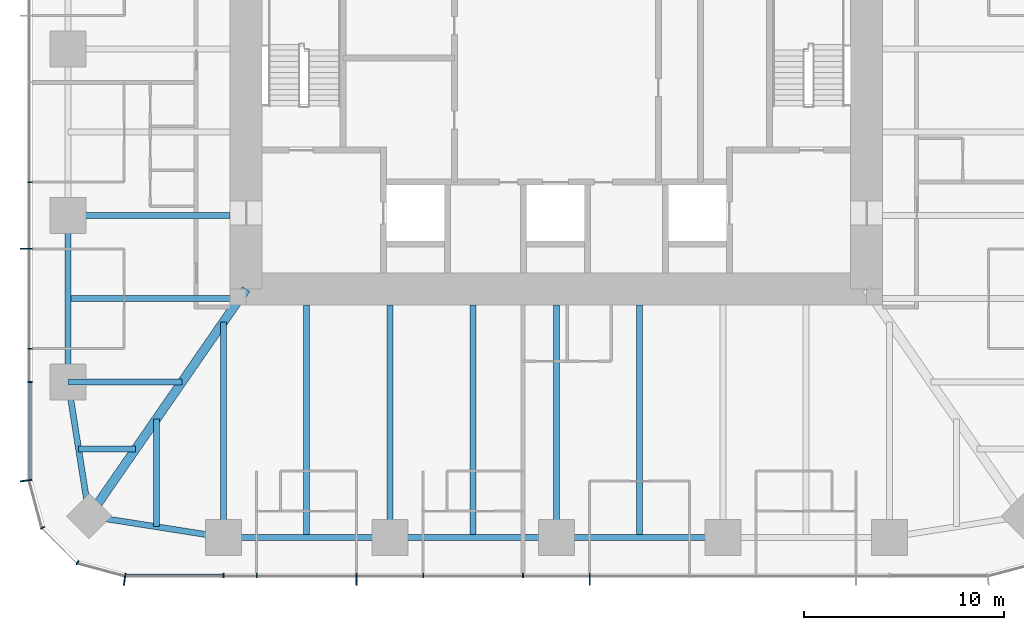
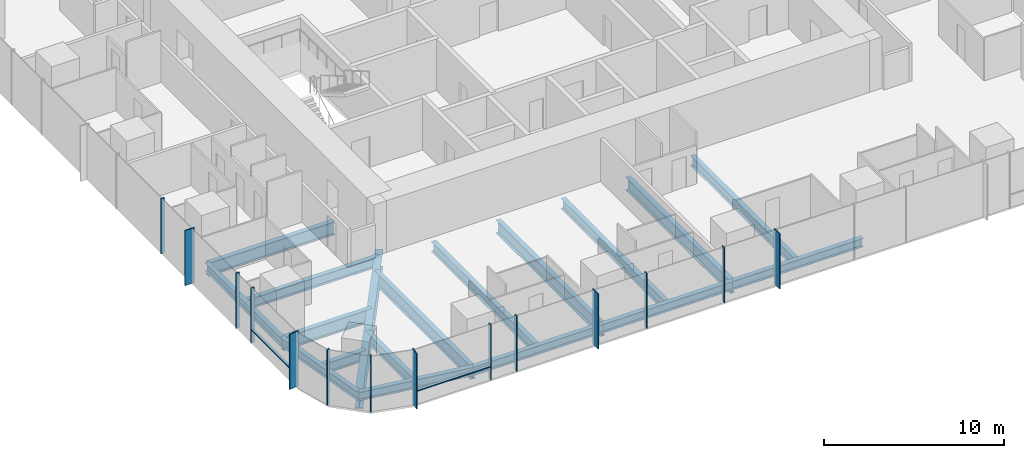
# One storey, part 2 of 12: 18 beams, 16 members, 3 elements without a shape of their own.
"""IFC4 building model written with IfcOpenShell, lengths in metres."""

import ifcopenshell
import ifcopenshell.guid

model = None  # the IFC model being written
_history = None  # IfcOwnerHistory: only IFC2X3 demands one
_inside = {}  # id of a spatial element -> (the spatial element, [elements in it])
_under = {}  # id of a project, library or spatial element -> (it, [spatial elements below it])
_declared = {}  # id of a project -> (the project, [libraries it declares])
_typed = {}  # id of a type object -> (the type object, [elements of that type])
_made_of = {}  # id of a material, layer set ... -> (it, [elements and type objects made of it])


def new_model(schema):
    """Start an empty IFC model of exactly this schema.

    Asked for "IFC4X3", IfcOpenShell would pick the latest addendum, in which some entities
    have other attributes; the version numbers below select the first issue.
    IFC2X3 requires an IfcOwnerHistory on every rooted entity: one is made here for all.
    """
    global model, _history
    if schema == "IFC4X3":
        model = ifcopenshell.file(schema_version=(4, 3, 0, 0))
    else:
        model = ifcopenshell.file(schema=schema)
    _inside.clear()
    _under.clear()
    _declared.clear()
    _typed.clear()
    _made_of.clear()
    _history = None
    if model.schema == "IFC2X3":
        org = make("IfcOrganization", Name="unknown")
        user = make(
            "IfcPersonAndOrganization",
            ThePerson=make("IfcPerson", FamilyName="unknown"),
            TheOrganization=org,
        )
        app = make(
            "IfcApplication",
            ApplicationDeveloper=org,
            Version="unknown",
            ApplicationFullName="unknown",
            ApplicationIdentifier="unknown",
        )
        _history = make(
            "IfcOwnerHistory",
            OwningUser=user,
            OwningApplication=app,
            ChangeAction="ADDED",
            CreationDate=0,
        )
    return model


def make(cls, **values):
    """One entity of the class cls with the attributes given. An attribute that is None is left unset."""
    return model.create_entity(
        cls, **{name: value for name, value in values.items() if value is not None}
    )


def rooted(cls, **values):
    """An entity with a GlobalId (a new one), such as an element, a storey or a relation."""
    return make(cls, GlobalId=ifcopenshell.guid.new(), OwnerHistory=_history, **values)


def si_unit(unit_type, name, prefix=None):
    """IfcSIUnit, for example si_unit("LENGTHUNIT", "METRE", prefix="MILLI")."""
    return make("IfcSIUnit", UnitType=unit_type, Prefix=prefix, Name=name)


def assignment(units):
    """IfcUnitAssignment: the units of a project."""
    return None if units is None else make("IfcUnitAssignment", Units=units)


def point(xyz):
    """IfcCartesianPoint."""
    return None if xyz is None else make("IfcCartesianPoint", Coordinates=xyz)


def direction(xyz):
    """IfcDirection."""
    return None if xyz is None else make("IfcDirection", DirectionRatios=xyz)


def frame(location, z_axis=None, x_axis=None):
    """IfcAxis2Placement3D, a coordinate frame: its origin and axes. An axis left out is left unset."""
    return make(
        "IfcAxis2Placement3D",
        Location=point(location),
        Axis=direction(z_axis),
        RefDirection=direction(x_axis),
    )


def frame_2d(location, x_axis=None):
    """IfcAxis2Placement2D, a coordinate frame in the plane: its origin and x axis."""
    return make(
        "IfcAxis2Placement2D", Location=point(location), RefDirection=direction(x_axis)
    )


def origin():
    """The frame at (0, 0, 0) with its axes left unset."""
    return frame((0.0, 0.0, 0.0))


def origin_2d():
    """The frame at (0, 0) in the plane with its x axis left unset."""
    return frame_2d((0.0, 0.0))


def place(relative_to, where):
    """IfcLocalPlacement: puts the frame where relative to a parent placement (None: the world)."""
    return make(
        "IfcLocalPlacement", PlacementRelTo=relative_to, RelativePlacement=where
    )


def context(
    kind, dimensions, precision=None, world=None, true_north=None, identifier=None
):
    """IfcGeometricRepresentationContext, for example the 3D "Model" context."""
    return make(
        "IfcGeometricRepresentationContext",
        ContextIdentifier=identifier,
        ContextType=kind,
        CoordinateSpaceDimension=dimensions,
        Precision=precision,
        WorldCoordinateSystem=world,
        TrueNorth=true_north,
    )


def subcontext(parent, identifier, kind, view, scale=None):
    """IfcGeometricRepresentationSubContext, for example "Body" below "Model"."""
    return make(
        "IfcGeometricRepresentationSubContext",
        ContextIdentifier=identifier,
        ContextType=kind,
        ParentContext=parent,
        TargetScale=scale,
        TargetView=view,
    )


def project(units=None, contexts=None):
    """IfcProject with its units and contexts."""
    return rooted(
        "IfcProject",
        Name="project",
        RepresentationContexts=contexts,
        UnitsInContext=assignment(units),
    )


def spatial(cls, under=None, at=None, **own):
    """A site, building, storey or space (cls), placed at a placement, below another one or the project."""
    s = rooted(cls, ObjectPlacement=at, **own)
    if under is not None:
        _under.setdefault(under.id(), (under, []))[1].append(s)
    return s


def profile(cls, at=None, kind="AREA", **sizes):
    """A parametric profile (cls). Its sizes go by their IFC names, for example OverallWidth=200.0."""
    return make(cls, ProfileType=kind, Position=at, **sizes)


def rectangle(**sizes):
    """IfcRectangleProfileDef."""
    return profile("IfcRectangleProfileDef", **sizes)


def i_section(**sizes):
    """IfcIShapeProfileDef."""
    return profile("IfcIShapeProfileDef", **sizes)


def extrude(swept, where, along, depth):
    """IfcExtrudedAreaSolid: the profile swept, set in the frame where, extruded along a direction by depth."""
    return make(
        "IfcExtrudedAreaSolid",
        SweptArea=swept,
        Position=where,
        ExtrudedDirection=direction(along),
        Depth=depth,
    )


def shape(context_of_items, identifier, shape_type, items):
    """IfcShapeRepresentation: the items that make up one representation, for example the "Body"."""
    return make(
        "IfcShapeRepresentation",
        ContextOfItems=context_of_items,
        RepresentationIdentifier=identifier,
        RepresentationType=shape_type,
        Items=items,
    )


def material(Name=None, Category=None):
    """IfcMaterial."""
    return make("IfcMaterial", Name=Name, Category=Category)


def material_profile(
    of_material, cross_section, Name=None, Category=None, Priority=None
):
    """IfcMaterialProfile: a cross section and its material."""
    return make(
        "IfcMaterialProfile",
        Name=Name,
        Material=of_material,
        Profile=cross_section,
        Priority=Priority,
        Category=Category,
    )


def profile_set(profiles, Name=None, composite=None):
    """IfcMaterialProfileSet."""
    return make(
        "IfcMaterialProfileSet",
        Name=Name,
        MaterialProfiles=profiles,
        CompositeProfile=composite,
    )


def made_of(thing, what):
    """Note that an element or type object is made of a material, layer set ...; save() writes the relation."""
    if what is not None:
        _made_of.setdefault(what.id(), (what, []))[1].append(thing)
    return thing


def type_object(cls, material=None, **own):
    """A type object (cls), such as IfcWallType, which elements share."""
    return made_of(rooted(cls, **own), material)


def element(
    cls,
    number,
    at=None,
    inside=None,
    cuts=None,
    type_object=None,
    material=None,
    context=None,
    identifier="Body",
    shape_type=None,
    held_by="IfcProductDefinitionShape",
    body=None,
    shapes=None,
    **own,
):
    """One element of the class cls, such as IfcWall. Its Tag is "e" and its number.

    at: its placement. inside: the storey or other place that contains it. cuts: it is an
    opening in that element (IfcRelVoidsElement). A single representation is given by context,
    identifier, shape_type and body (its items); several are given by shapes. held_by: the class
    of the entity that holds the representations. save() writes the other relations.
    """
    e = rooted(cls, Tag="e%d" % number, ObjectPlacement=at, **own)
    if body is not None:
        shapes = [shape(context, identifier, shape_type, body)]
    if shapes is not None:
        e.Representation = make(held_by, Representations=shapes)
    if inside is not None:
        _inside.setdefault(inside.id(), (inside, []))[1].append(e)
    if cuts is not None:
        rooted(
            "IfcRelVoidsElement", RelatingBuildingElement=cuts, RelatedOpeningElement=e
        )
    if type_object is not None:
        _typed.setdefault(type_object.id(), (type_object, []))[1].append(e)
    return made_of(e, material)


def aggregate(whole, parts):
    """IfcRelAggregates: a whole, such as a stair, and the parts it consists of."""
    return rooted("IfcRelAggregates", RelatingObject=whole, RelatedObjects=parts)


def save(model, path):
    """Write the relations noted so far, then the file.

    IfcRelAggregates (storeys below a building ...), IfcRelContainedInSpatialStructure (elements
    in a storey), IfcRelDefinesByType, IfcRelAssociatesMaterial and IfcRelDeclares: one each for
    every whole, place, type object, material and project.
    """
    for whole, parts in _under.values():
        aggregate(whole, parts)
    for where, things in _inside.values():
        rooted(
            "IfcRelContainedInSpatialStructure",
            RelatedElements=things,
            RelatingStructure=where,
        )
    for kind, things in _typed.values():
        rooted("IfcRelDefinesByType", RelatedObjects=things, RelatingType=kind)
    for what, things in _made_of.values():
        rooted("IfcRelAssociatesMaterial", RelatedObjects=things, RelatingMaterial=what)
    for by, libraries in _declared.values():
        rooted("IfcRelDeclares", RelatingContext=by, RelatedDefinitions=libraries)
    model.write(path)


model = new_model("IFC4")

# Units and contexts
model_context = context("Model", 3, precision=1e-05, world=origin(), true_north=direction((0.0, 1.0)))
body_context = subcontext(model_context, "Body", "Model", "MODEL_VIEW")
ifc_project = project(units=[si_unit("LENGTHUNIT", "METRE"), si_unit("AREAUNIT", "SQUARE_METRE"), si_unit("VOLUMEUNIT", "CUBIC_METRE"), si_unit("PLANEANGLEUNIT", "RADIAN"), si_unit("MASSUNIT", "GRAM", prefix="KILO")], contexts=[model_context])

# Site, building, storey
site_placement = place(None, origin())
site = spatial("IfcSite", under=ifc_project, at=site_placement, CompositionType="ELEMENT")
building_placement = place(site_placement, origin())
building = spatial("IfcBuilding", under=site, at=building_placement, Name="Khuree Lantern Residences", CompositionType="ELEMENT")
storey_placement = place(building_placement, frame((0.0, 0.0, 218.25)))
storey = spatial("IfcBuildingStorey", under=building, at=storey_placement, Name="L54", CompositionType="ELEMENT", Elevation=218.25)

# Beams
ifc_material_1 = material(Name="Steel S355", Category="steel")
ifc_material_profile_1 = material_profile(ifc_material_1, i_section(OverallWidth=0.300048828125, OverallDepth=0.68994140625, WebThickness=0.014404296875, FlangeThickness=0.027099609375, FilletRadius=0.027099609375, at=origin_2d()), Name="HE 700 A")
ifc_profile_set_1 = profile_set([ifc_material_profile_1], Name="Steel S355")
beam_type_1 = type_object("IfcBeamType", Name="B-32 SECONDARY BEAM HE 700 A", PredefinedType="BEAM", material=ifc_profile_set_1)
for number, where, z_axis, x_axis, name in (
    (1, (4.159912109375, -24.39990234375, -0.594970703125), (0.0, 1.0, 0.0), (-1.0, 0.0, 0.0), "Secondary beam S3"),
    (2, (-4.159912109375, -24.39990234375, -0.594970703125), (0.0, 1.0, 0.0), (-1.0, 0.0, 0.0), "Secondary beam S4"),
    (3, (-12.47998046875, -24.39990234375, -0.594970703125), (0.0, 1.0, 0.0), (-1.0, 0.0, 0.0), "Secondary beam S5"),
):
    element("IfcBeam", number, at=place(storey_placement, frame(where, z_axis=z_axis, x_axis=x_axis)), inside=storey, type_object=beam_type_1, Name=name, PredefinedType="BEAM", context=body_context, shape_type="SweptSolid", body=[
        extrude(i_section(OverallWidth=0.300048828125, OverallDepth=0.68994140625, WebThickness=0.014404296875, FlangeThickness=0.027099609375, FilletRadius=0.027099609375, at=origin_2d()), origin(), (0.0, 0.0, 1.0), 11.599853515625),
    ])
beam_1_placement = place(storey_placement, frame((-19.992919921875, -23.872802734375, -0.594970703125), z_axis=(0.0, 1.0, 0.0), x_axis=(-1.0, 0.0, 0.0)))
element("IfcBeam", 4, at=beam_1_placement, inside=storey, type_object=beam_type_1, Name="Secondary beam S6", PredefinedType="BEAM", context=body_context, shape_type="SweptSolid", body=[
    extrude(i_section(OverallWidth=0.300048828125, OverallDepth=0.68994140625, WebThickness=0.014404296875, FlangeThickness=0.027099609375, FilletRadius=0.027099609375, at=origin_2d()), origin(), (0.0, 0.0, 1.0), 5.375732421875),
])
beam_2_placement = place(storey_placement, frame((-23.872802734375, -19.992919921875, -0.594970703125), z_axis=(1.0, 0.0, 0.0), x_axis=(0.0, 1.0, 0.0)))
element("IfcBeam", 5, at=beam_2_placement, inside=storey, type_object=beam_type_1, Name="Secondary beam W1", PredefinedType="BEAM", context=body_context, shape_type="SweptSolid", body=[
    extrude(i_section(OverallWidth=0.300048828125, OverallDepth=0.68994140625, WebThickness=0.014404296875, FlangeThickness=0.027099609375, FilletRadius=0.027099609375, at=origin_2d()), origin(), (0.0, 0.0, 1.0), 2.845703125),
])
beam_3_placement = place(storey_placement, frame((-24.39990234375, -12.47998046875, -0.594970703125), z_axis=(1.0, 0.0, 0.0), x_axis=(0.0, 1.0, 0.0)))
element("IfcBeam", 6, at=beam_3_placement, inside=storey, type_object=beam_type_1, Name="Secondary beam W2", PredefinedType="BEAM", context=body_context, shape_type="SweptSolid", body=[
    extrude(i_section(OverallWidth=0.300048828125, OverallDepth=0.68994140625, WebThickness=0.014404296875, FlangeThickness=0.027099609375, FilletRadius=0.027099609375, at=origin_2d()), origin(), (0.0, 0.0, 1.0), 8.56787109375),
])
ifc_material_profile_2 = material_profile(ifc_material_1, i_section(OverallWidth=0.300048828125, OverallDepth=0.590087890625, WebThickness=0.012939453125, FlangeThickness=0.02490234375, FilletRadius=0.027099609375, at=origin_2d()), Name="HE 600 A")
ifc_profile_set_2 = profile_set([ifc_material_profile_2], Name="Steel S355")
beam_type_2 = type_object("IfcBeamType", Name="E-32 SPANDREL BEAM HE 600 A", PredefinedType="SPANDREL", material=ifc_profile_set_2)
for number, where, z_axis, x_axis, name in (
    (7, (8.320068359375, -24.39990234375, -0.544921875), (-1.0, 0.0, 0.0), (0.0, -1.0, 0.0), "Spandrel beam S3"),
    (8, (0.0, -24.39990234375, -0.544921875), (-1.0, 0.0, 0.0), (0.0, -1.0, 0.0), "Spandrel beam S4"),
):
    element("IfcBeam", number, at=place(storey_placement, frame(where, z_axis=z_axis, x_axis=x_axis)), inside=storey, type_object=beam_type_2, Name=name, PredefinedType="SPANDREL", context=body_context, shape_type="SweptSolid", body=[
        extrude(i_section(OverallWidth=0.300048828125, OverallDepth=0.590087890625, WebThickness=0.012939453125, FlangeThickness=0.02490234375, FilletRadius=0.027099609375, at=origin_2d()), origin(), (0.0, 0.0, 1.0), 8.320068359375),
    ])
beam_4_placement = place(storey_placement, frame((-8.320068359375, -24.39990234375, -0.544921875), z_axis=(-1.0, 0.0, 0.0), x_axis=(0.0, -1.0, 0.0)))
element("IfcBeam", 9, at=beam_4_placement, inside=storey, type_object=beam_type_2, Name="Spandrel beam S5", PredefinedType="SPANDREL", context=body_context, shape_type="SweptSolid", body=[
    extrude(i_section(OverallWidth=0.300048828125, OverallDepth=0.590087890625, WebThickness=0.012939453125, FlangeThickness=0.02490234375, FilletRadius=0.027099609375, at=origin_2d()), origin(), (0.0, 0.0, 1.0), 8.31982421875),
])
for number, where, z_axis, x_axis, name in (
    (10, (-16.639892578125, -24.39990234375, -0.544921875), (-0.98786743189, 0.155299507442, 0.0), (-0.155299507442, -0.98786743189, 0.0), "Spandrel beam S6"),
    (11, (-23.345703125, -23.345703125, -0.544921875), (-0.155299507442, 0.98786743189, 0.0), (-0.98786743189, -0.155299507442, 0.0), "Spandrel beam W1"),
):
    element("IfcBeam", number, at=place(storey_placement, frame(where, z_axis=z_axis, x_axis=x_axis)), inside=storey, type_object=beam_type_2, Name=name, PredefinedType="SPANDREL", context=body_context, shape_type="SweptSolid", body=[
        extrude(i_section(OverallWidth=0.300048828125, OverallDepth=0.590087890625, WebThickness=0.012939453125, FlangeThickness=0.02490234375, FilletRadius=0.027099609375, at=origin_2d()), origin(), (0.0, 0.0, 1.0), 6.7880859375),
    ])
beam_5_placement = place(storey_placement, frame((-24.39990234375, -16.639892578125, -0.544921875), z_axis=(0.0, 1.0, 0.0), x_axis=(-1.0, 0.0, 0.0)))
element("IfcBeam", 12, at=beam_5_placement, inside=storey, type_object=beam_type_2, Name="Spandrel beam W2", PredefinedType="SPANDREL", context=body_context, shape_type="SweptSolid", body=[
    extrude(i_section(OverallWidth=0.300048828125, OverallDepth=0.590087890625, WebThickness=0.012939453125, FlangeThickness=0.02490234375, FilletRadius=0.027099609375, at=origin_2d()), origin(), (0.0, 0.0, 1.0), 8.31982421875),
])

# Curtain wall, member
ifc_material_2 = material(Name="Bronze anodised aluminium", Category="aluminium")
curtain_wall_type_1 = type_object("IfcCurtainWallType", Name="CW-T1 TOWER FACE CURTAIN WALL", PredefinedType="USERDEFINED", material=ifc_material_2)
curtain_wall_1_placement = place(storey_placement, origin())
curtain_wall_1 = element("IfcCurtainWall", 13, at=curtain_wall_1_placement, inside=storey, type_object=curtain_wall_type_1, Name="L54 WEST FACE CURTAIN WALL", ObjectType="Stick-built curtain wall", PredefinedType="USERDEFINED")
ifc_material_profile_3 = material_profile(ifc_material_2, rectangle(XDim=0.06494140625, YDim=0.60009765625, at=origin_2d()), Name="F1 65X600")
ifc_profile_set_3 = profile_set([ifc_material_profile_3], Name="Bronze anodised aluminium")
member_type_1 = type_object("IfcMemberType", Name="F1 BRONZE FIN MULLION TOWER 65X600", PredefinedType="MULLION", material=ifc_profile_set_3)
member_1_placement = place(storey_placement, frame((-26.5, -9.98388671875, 0.0), z_axis=(0.0, 0.0, 1.0), x_axis=(0.0, -1.0, 0.0)))
member_1 = element("IfcMember", 14, at=member_1_placement, type_object=member_type_1, Name="L54 WEST FACE FIN MULLION 40", PredefinedType="MULLION", context=body_context, shape_type="SweptSolid", body=[
    extrude(rectangle(XDim=0.06494140625, YDim=0.60009765625, at=origin_2d()), origin(), (0.0, 0.0, 1.0), 3.75),
])

curtain_wall_type_2 = type_object("IfcCurtainWallType", Name="CW-T2 TOWER CORNER CURTAIN WALL", PredefinedType="USERDEFINED", material=ifc_material_2)
curtain_wall_2_placement = place(storey_placement, origin())
curtain_wall_2 = element("IfcCurtainWall", 15, at=curtain_wall_2_placement, inside=storey, type_object=curtain_wall_type_2, Name="L54 SOUTH-WEST CORNER CURTAIN WALL", ObjectType="Faceted corner curtain wall", PredefinedType="USERDEFINED")
member_2_placement = place(storey_placement, frame((-26.5, -21.56982421875, 0.0), z_axis=(0.0, 0.0, 1.0), x_axis=(0.130526180298, -0.991444862943, 0.0)))
member_2 = element("IfcMember", 16, at=member_2_placement, type_object=member_type_1, Name="L54 SOUTH-WEST CORNER FIN MULLION 43", PredefinedType="MULLION", context=body_context, shape_type="SweptSolid", body=[
    extrude(rectangle(XDim=0.06494140625, YDim=0.60009765625, at=origin_2d()), origin(), (0.0, 0.0, 1.0), 3.75),
])

# Curtain wall, members
curtain_wall_3_placement = place(storey_placement, origin())
curtain_wall_3 = element("IfcCurtainWall", 17, at=curtain_wall_3_placement, inside=storey, type_object=curtain_wall_type_1, Name="L54 SOUTH FACE CURTAIN WALL", ObjectType="Stick-built curtain wall", PredefinedType="USERDEFINED")
member_3_placement = place(storey_placement, frame((-21.56982421875, -26.5, 0.0), z_axis=(0.0, 0.0, 1.0), x_axis=(0.991444862943, -0.130526180298, 0.0)))
member_3 = element("IfcMember", 18, at=member_3_placement, type_object=member_type_1, Name="L54 SOUTH FACE FIN MULLION 46", PredefinedType="MULLION", context=body_context, shape_type="SweptSolid", body=[
    extrude(rectangle(XDim=0.06494140625, YDim=0.60009765625, at=origin_2d()), origin(), (0.0, 0.0, 1.0), 3.75),
])
member_4_placement = place(storey_placement, frame((-9.98388671875, -26.5, 0.0), z_axis=(0.0, 0.0, 1.0), x_axis=(1.0, 0.0, 0.0)))
member_4 = element("IfcMember", 19, at=member_4_placement, type_object=member_type_1, Name="L54 SOUTH FACE FIN MULLION 49", PredefinedType="MULLION", context=body_context, shape_type="SweptSolid", body=[
    extrude(rectangle(XDim=0.06494140625, YDim=0.60009765625, at=origin_2d()), origin(), (0.0, 0.0, 1.0), 3.75),
])
member_5_placement = place(storey_placement, frame((1.6640625, -26.5, 0.0), z_axis=(0.0, 0.0, 1.0), x_axis=(1.0, 0.0, 0.0)))
member_5 = element("IfcMember", 20, at=member_5_placement, type_object=member_type_1, Name="L54 SOUTH FACE FIN MULLION 52", PredefinedType="MULLION", context=body_context, shape_type="SweptSolid", body=[
    extrude(rectangle(XDim=0.06494140625, YDim=0.60009765625, at=origin_2d()), origin(), (0.0, 0.0, 1.0), 3.75),
])

# Beams
ifc_material_profile_4 = material_profile(ifc_material_1, i_section(OverallWidth=0.300048828125, OverallDepth=0.89990234375, WebThickness=0.0185546875, FlangeThickness=0.034912109375, FilletRadius=0.030029296875, at=origin_2d()), Name="HE 900 B")
ifc_profile_set_4 = profile_set([ifc_material_profile_4], Name="Steel S355")
beam_type_3 = type_object("IfcBeamType", Name="G-32 GIRDER HE 900 B", PredefinedType="BEAM", material=ifc_profile_set_4)
for number, where, z_axis, x_axis, name in (
    (21, (0.0, -24.39990234375, -0.699951171875), (0.0, 1.0, 0.0), (-1.0, 0.0, 0.0), "Girder S3"),
    (22, (-8.320068359375, -24.39990234375, -0.699951171875), (0.0, 1.0, 0.0), (-1.0, 0.0, 0.0), "Girder S4"),
):
    element("IfcBeam", number, at=place(storey_placement, frame(where, z_axis=z_axis, x_axis=x_axis)), inside=storey, type_object=beam_type_3, Name=name, PredefinedType="BEAM", context=body_context, shape_type="SweptSolid", body=[
        extrude(i_section(OverallWidth=0.300048828125, OverallDepth=0.89990234375, WebThickness=0.0185546875, FlangeThickness=0.034912109375, FilletRadius=0.030029296875, at=origin_2d()), origin(), (0.0, 0.0, 1.0), 11.599853515625),
    ])
beam_6_placement = place(storey_placement, frame((-16.639892578125, -24.39990234375, -0.699951171875), z_axis=(0.0, 1.0, 0.0), x_axis=(-1.0, 0.0, 0.0)))
element("IfcBeam", 23, at=beam_6_placement, inside=storey, type_object=beam_type_3, Name="Girder S5", PredefinedType="BEAM", context=body_context, shape_type="SweptSolid", body=[
    extrude(i_section(OverallWidth=0.300048828125, OverallDepth=0.89990234375, WebThickness=0.0185546875, FlangeThickness=0.034912109375, FilletRadius=0.030029296875, at=origin_2d()), origin(), (0.0, 0.0, 1.0), 10.751220703125),
])
beam_7_placement = place(storey_placement, frame((-24.39990234375, -16.639892578125, -0.699951171875), z_axis=(1.0, 0.0, 0.0), x_axis=(0.0, 1.0, 0.0)))
element("IfcBeam", 24, at=beam_7_placement, inside=storey, type_object=beam_type_3, Name="Girder W1", PredefinedType="BEAM", context=body_context, shape_type="SweptSolid", body=[
    extrude(i_section(OverallWidth=0.300048828125, OverallDepth=0.89990234375, WebThickness=0.0185546875, FlangeThickness=0.034912109375, FilletRadius=0.030029296875, at=origin_2d()), origin(), (0.0, 0.0, 1.0), 5.69140625),
])
beam_8_placement = place(storey_placement, frame((-24.39990234375, -8.320068359375, -0.699951171875), z_axis=(1.0, 0.0, 0.0), x_axis=(0.0, 1.0, 0.0)))
element("IfcBeam", 25, at=beam_8_placement, inside=storey, type_object=beam_type_3, Name="Girder W2", PredefinedType="BEAM", context=body_context, shape_type="SweptSolid", body=[
    extrude(i_section(OverallWidth=0.300048828125, OverallDepth=0.89990234375, WebThickness=0.0185546875, FlangeThickness=0.034912109375, FilletRadius=0.030029296875, at=origin_2d()), origin(), (0.0, 0.0, 1.0), 8.099853515625),
])
ifc_material_profile_5 = material_profile(ifc_material_1, i_section(OverallWidth=0.449951171875, OverallDepth=1.199951171875, WebThickness=0.02490234375, FlangeThickness=0.044921875, at=origin_2d()), Name="WELDED I 1200X450X25X45")
ifc_profile_set_5 = profile_set([ifc_material_profile_5], Name="Steel S355")
beam_type_4 = type_object("IfcBeamType", Name="GD-32 CORNER GIRDER WELDED I 1200X450X25X45", PredefinedType="BEAM", material=ifc_profile_set_5)
beam_9_placement = place(storey_placement, frame((-23.345703125, -23.345703125, -0.85009765625), z_axis=(0.56876813501, 0.822497907959, 0.0), x_axis=(-0.822497907959, 0.56876813501, 0.0)))
element("IfcBeam", 26, at=beam_9_placement, inside=storey, type_object=beam_type_4, Name="Corner girder SW", PredefinedType="BEAM", context=body_context, shape_type="SweptSolid", body=[
    extrude(i_section(OverallWidth=0.449951171875, OverallDepth=1.199951171875, WebThickness=0.02490234375, FlangeThickness=0.044921875, at=origin_2d()), origin(), (0.0, 0.0, 1.0), 13.794189453125),
])

# Member
ifc_material_profile_6 = material_profile(ifc_material_2, rectangle(XDim=0.06494140625, YDim=0.219970703125, at=origin_2d()), Name="M1 65X220")
ifc_profile_set_6 = profile_set([ifc_material_profile_6], Name="Bronze anodised aluminium")
member_type_2 = type_object("IfcMemberType", Name="M1 BRONZE MULLION TOWER 65X220", PredefinedType="MULLION", material=ifc_profile_set_6)
member_6_placement = place(storey_placement, frame((-26.31005859375, -6.656005859375, 0.0), z_axis=(0.0, 0.0, 1.0), x_axis=(0.0, -1.0, 0.0)))
member_6 = element("IfcMember", 27, at=member_6_placement, type_object=member_type_2, Name="L54 WEST FACE MULLION 39", PredefinedType="MULLION", context=body_context, shape_type="SweptSolid", body=[
    extrude(rectangle(XDim=0.06494140625, YDim=0.219970703125, at=origin_2d()), origin(), (0.0, 0.0, 1.0), 3.75),
])

member_7_placement = place(storey_placement, frame((-26.31005859375, -14.97607421875, 0.0), z_axis=(0.0, 0.0, 1.0), x_axis=(0.0, -1.0, 0.0)))
member_7 = element("IfcMember", 28, at=member_7_placement, type_object=member_type_2, Name="L54 WEST FACE MULLION 41", PredefinedType="MULLION", context=body_context, shape_type="SweptSolid", body=[
    extrude(rectangle(XDim=0.06494140625, YDim=0.219970703125, at=origin_2d()), origin(), (0.0, 0.0, 1.0), 3.75),
])

member_8_placement = place(storey_placement, frame((-26.31005859375, -16.639892578125, 0.0), z_axis=(0.0, 0.0, 1.0), x_axis=(0.0, -1.0, 0.0)))
member_8 = element("IfcMember", 29, at=member_8_placement, type_object=member_type_2, Name="L54 WEST FACE MULLION 42", PredefinedType="MULLION", context=body_context, shape_type="SweptSolid", body=[
    extrude(rectangle(XDim=0.06494140625, YDim=0.219970703125, at=origin_2d()), origin(), (0.0, 0.0, 1.0), 3.75),
])

member_9_placement = place(storey_placement, frame((-25.67236328125, -23.929931640625, 0.0), z_axis=(0.0, 0.0, 1.0), x_axis=(0.499999989586, -0.866025409797, 0.0)))
member_9 = element("IfcMember", 30, at=member_9_placement, type_object=member_type_2, Name="L54 SOUTH-WEST CORNER MULLION 44", PredefinedType="MULLION", context=body_context, shape_type="SweptSolid", body=[
    extrude(rectangle(XDim=0.06494140625, YDim=0.219970703125, at=origin_2d()), origin(), (0.0, 0.0, 1.0), 3.75),
])

member_10_placement = place(storey_placement, frame((-23.929931640625, -25.67236328125, 0.0), z_axis=(0.0, 0.0, 1.0), x_axis=(0.866025409797, -0.499999989586, 0.0)))
member_10 = element("IfcMember", 31, at=member_10_placement, type_object=member_type_2, Name="L54 SOUTH-WEST CORNER MULLION 45", PredefinedType="MULLION", context=body_context, shape_type="SweptSolid", body=[
    extrude(rectangle(XDim=0.06494140625, YDim=0.219970703125, at=origin_2d()), origin(), (0.0, 0.0, 1.0), 3.75),
])

aggregate(curtain_wall_2, [member_2, member_9, member_10])

member_11_placement = place(storey_placement, frame((-16.639892578125, -26.31005859375, 0.0), z_axis=(0.0, 0.0, 1.0), x_axis=(1.0, 0.0, 0.0)))
member_11 = element("IfcMember", 32, at=member_11_placement, type_object=member_type_2, Name="L54 SOUTH FACE MULLION 47", PredefinedType="MULLION", context=body_context, shape_type="SweptSolid", body=[
    extrude(rectangle(XDim=0.06494140625, YDim=0.219970703125, at=origin_2d()), origin(), (0.0, 0.0, 1.0), 3.75),
])

member_12_placement = place(storey_placement, frame((-14.97607421875, -26.31005859375, 0.0), z_axis=(0.0, 0.0, 1.0), x_axis=(1.0, 0.0, 0.0)))
member_12 = element("IfcMember", 33, at=member_12_placement, type_object=member_type_2, Name="L54 SOUTH FACE MULLION 48", PredefinedType="MULLION", context=body_context, shape_type="SweptSolid", body=[
    extrude(rectangle(XDim=0.06494140625, YDim=0.219970703125, at=origin_2d()), origin(), (0.0, 0.0, 1.0), 3.75),
])

member_13_placement = place(storey_placement, frame((-6.656005859375, -26.31005859375, 0.0), z_axis=(0.0, 0.0, 1.0), x_axis=(1.0, 0.0, 0.0)))
member_13 = element("IfcMember", 34, at=member_13_placement, type_object=member_type_2, Name="L54 SOUTH FACE MULLION 50", PredefinedType="MULLION", context=body_context, shape_type="SweptSolid", body=[
    extrude(rectangle(XDim=0.06494140625, YDim=0.219970703125, at=origin_2d()), origin(), (0.0, 0.0, 1.0), 3.75),
])

member_14_placement = place(storey_placement, frame((-1.6640625, -26.31005859375, 0.0), z_axis=(0.0, 0.0, 1.0), x_axis=(1.0, 0.0, 0.0)))
member_14 = element("IfcMember", 35, at=member_14_placement, type_object=member_type_2, Name="L54 SOUTH FACE MULLION 51", PredefinedType="MULLION", context=body_context, shape_type="SweptSolid", body=[
    extrude(rectangle(XDim=0.06494140625, YDim=0.219970703125, at=origin_2d()), origin(), (0.0, 0.0, 1.0), 3.75),
])

ifc_material_profile_7 = material_profile(ifc_material_2, rectangle(XDim=0.179931640625, YDim=0.06494140625, at=origin_2d()), Name="T1 180X65")
ifc_profile_set_7 = profile_set([ifc_material_profile_7], Name="Bronze anodised aluminium")
member_type_3 = type_object("IfcMemberType", Name="TRANSOM T1 TOWER 180X65", PredefinedType="USERDEFINED", material=ifc_profile_set_7)
member_15_placement = place(storey_placement, frame((-26.320068359375, -16.672607421875, 0.89990234375), z_axis=(0.0, -1.0, 0.0), x_axis=(1.0, 0.0, 0.0)))
member_15 = element("IfcMember", 36, at=member_15_placement, type_object=member_type_3, Name="L54 WEST FACE TRANSOM 42.1", ObjectType="Transom", PredefinedType="USERDEFINED", context=body_context, shape_type="SweptSolid", body=[
    extrude(rectangle(XDim=0.179931640625, YDim=0.06494140625, at=origin_2d()), origin(), (0.0, 0.0, 1.0), 4.828857421875),
])

aggregate(curtain_wall_1, [member_6, member_1, member_7, member_8, member_15])

member_16_placement = place(storey_placement, frame((-21.50146484375, -26.320068359375, 0.89990234375), z_axis=(1.0, 0.0, 0.0), x_axis=(0.0, 1.0, 0.0)))
member_16 = element("IfcMember", 37, at=member_16_placement, type_object=member_type_3, Name="L54 SOUTH FACE TRANSOM 46.1", ObjectType="Transom", PredefinedType="USERDEFINED", context=body_context, shape_type="SweptSolid", body=[
    extrude(rectangle(XDim=0.179931640625, YDim=0.06494140625, at=origin_2d()), origin(), (0.0, 0.0, 1.0), 4.828857421875),
])

aggregate(curtain_wall_3, [member_3, member_11, member_12, member_4, member_13, member_14, member_5, member_16])

save(model, "model.ifc")
